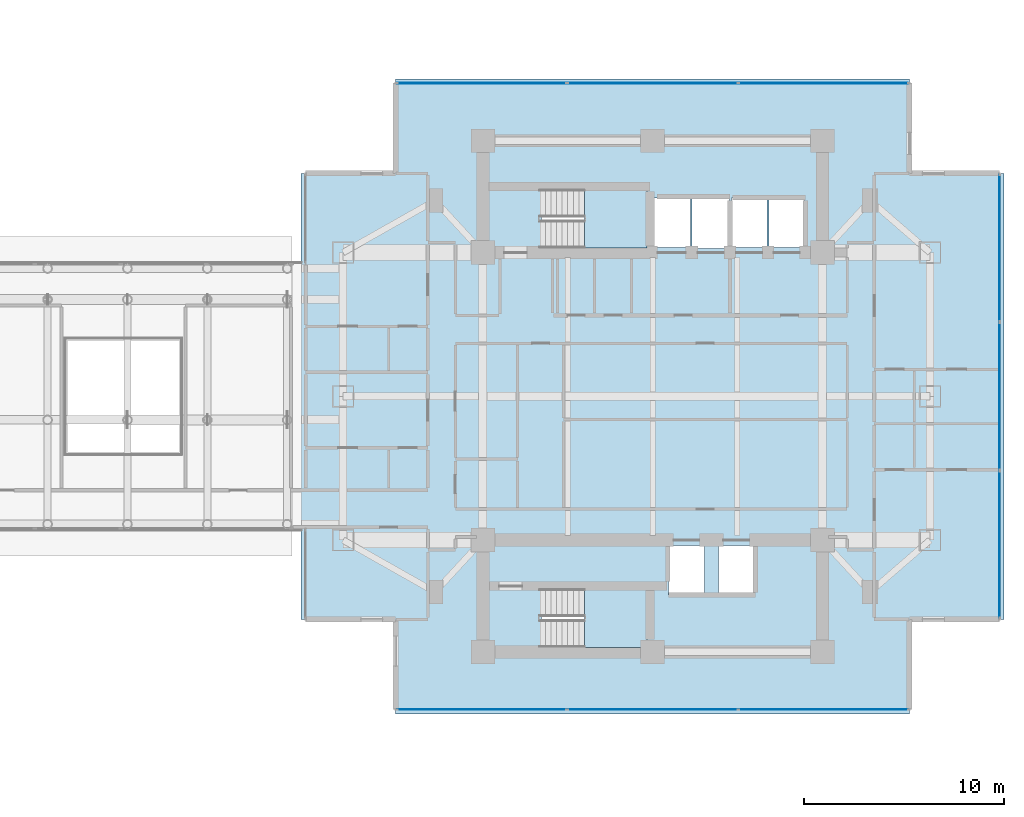
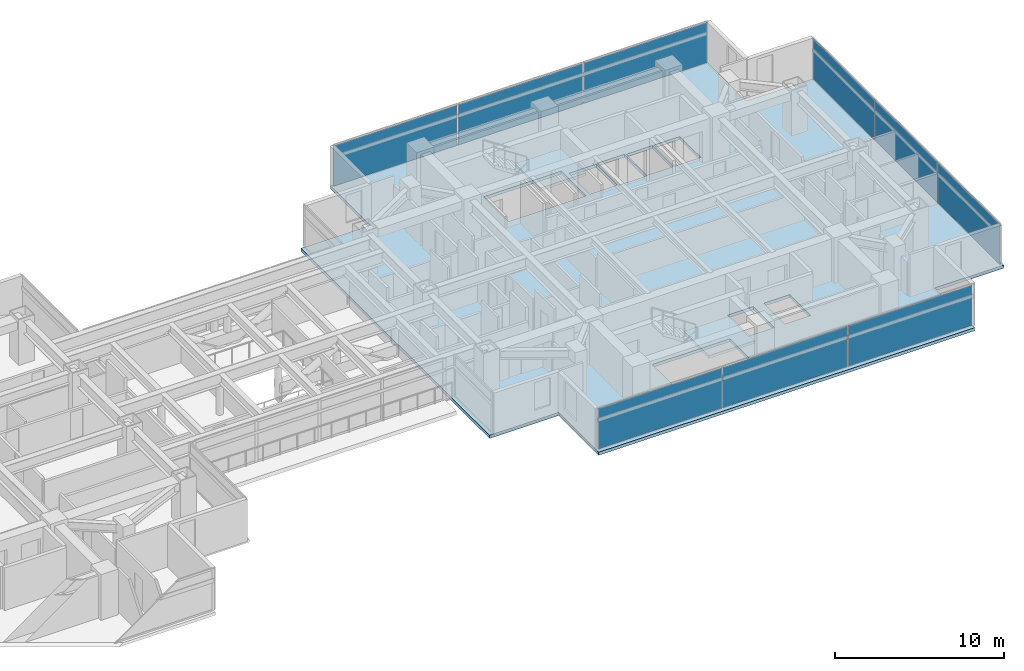
# One storey, part 13 of 28: 9 plates, 3 slabs, 5 elements without a shape of their own.
"""IFC4 building model written with IfcOpenShell, lengths in metres."""

from ifc_helpers import new_model, si_unit, direction, frame, origin, origin_2d, place, context, subcontext, project, spatial, polyline, rectangle, outline, extrude, material, layer, layer_set, type_object, element, aggregate, save


model = new_model("IFC4")

# Units and contexts
model_context = context("Model", 3, precision=1e-05, world=origin(), true_north=direction((0.0, 1.0)))
body_context = subcontext(model_context, "Body", "Model", "MODEL_VIEW")
ifc_project = project(units=[si_unit("LENGTHUNIT", "METRE"), si_unit("AREAUNIT", "SQUARE_METRE"), si_unit("VOLUMEUNIT", "CUBIC_METRE"), si_unit("PLANEANGLEUNIT", "RADIAN"), si_unit("MASSUNIT", "GRAM", prefix="KILO")], contexts=[model_context])

# Site, building, storey
site_placement = place(None, origin())
site = spatial("IfcSite", under=ifc_project, at=site_placement, CompositionType="ELEMENT")
building_placement = place(site_placement, origin())
building = spatial("IfcBuilding", under=site, at=building_placement, Name="Mirazonda Arch Towers", CompositionType="ELEMENT")
storey_placement = place(building_placement, frame((0.0, 0.0, 91.699951171875)))
storey = spatial("IfcBuildingStorey", under=building, at=storey_placement, Name="L25", CompositionType="ELEMENT", Elevation=91.699951171875)

# Curtain wall, plates
ifc_material_1 = material(Name="Anodised Aluminium and Low-E Glass", Category="aluminium")
curtain_wall_type = type_object("IfcCurtainWallType", Name="CW-HTL-UNIT", PredefinedType="NOTDEFINED", material=ifc_material_1)
curtain_wall_1_placement = place(storey_placement, origin())
curtain_wall_1 = element("IfcCurtainWall", 1, at=curtain_wall_1_placement, inside=storey, type_object=curtain_wall_type, Name="L25 T2 S Facade CW-L25-T2-S", PredefinedType="NOTDEFINED")
ifc_material_2 = material(Name="Insulated Low-E Solar Glass", Category="glass")
ifc_layer_1 = layer(ifc_material_2, 0.035888671875, Name="PAN-CW-HTL-UNIT")
ifc_layer_set_1 = layer_set([ifc_layer_1], Name="Insulated Low-E Solar Glass")
plate_type = type_object("IfcPlateType", Name="PAN-CW-HTL-UNIT", PredefinedType="CURTAIN_PANEL", material=ifc_layer_set_1)
plate_1_placement = place(storey_placement, frame((85.057373046875, 12.319091796875, 0.0751953125), z_axis=(0.0, 0.0, 1.0), x_axis=(-1.0, 0.0, 0.0)))
plate_1 = element("IfcPlate", 2, at=plate_1_placement, type_object=plate_type, Name="CW-112 panel 1.1", PredefinedType="CURTAIN_PANEL", context=body_context, shape_type="SweptSolid", body=[
    extrude(rectangle(XDim=8.463623046875, YDim=0.035888671875, at=origin_2d()), origin(), (0.0, 0.0, 1.0), 2.909912109375),
])
plate_2_placement = place(storey_placement, frame((76.5, 12.319091796875, 0.0751953125), z_axis=(0.0, 0.0, 1.0), x_axis=(-1.0, 0.0, 0.0)))
plate_2 = element("IfcPlate", 3, at=plate_2_placement, type_object=plate_type, Name="CW-112 panel 2.1", PredefinedType="CURTAIN_PANEL", context=body_context, shape_type="SweptSolid", body=[
    extrude(rectangle(XDim=8.501220703125, YDim=0.035888671875, at=origin_2d()), origin(), (0.0, 0.0, 1.0), 2.909912109375),
])
plate_3_placement = place(storey_placement, frame((67.942626953125, 12.319091796875, 0.0751953125), z_axis=(0.0, 0.0, 1.0), x_axis=(-1.0, 0.0, 0.0)))
plate_3 = element("IfcPlate", 4, at=plate_3_placement, type_object=plate_type, Name="CW-112 panel 3.1", PredefinedType="CURTAIN_PANEL", context=body_context, shape_type="SweptSolid", body=[
    extrude(rectangle(XDim=8.463623046875, YDim=0.035888671875, at=origin_2d()), origin(), (0.0, 0.0, 1.0), 2.909912109375),
])
aggregate(curtain_wall_1, [plate_1, plate_2, plate_3])

curtain_wall_2_placement = place(storey_placement, origin())
curtain_wall_2 = element("IfcCurtainWall", 5, at=curtain_wall_2_placement, inside=storey, type_object=curtain_wall_type, Name="L25 T2 E Facade CW-L25-T2-E", PredefinedType="NOTDEFINED")
plate_4_placement = place(storey_placement, frame((93.880615234375, 20.57568359375, 0.0751953125), z_axis=(0.0, 0.0, 1.0), x_axis=(0.0, 1.0, 0.0)))
plate_4 = element("IfcPlate", 6, at=plate_4_placement, type_object=plate_type, Name="CW-112 panel 1.1", PredefinedType="CURTAIN_PANEL", context=body_context, shape_type="SweptSolid", body=[
    extrude(rectangle(XDim=7.33056640625, YDim=0.035888671875, at=origin_2d()), origin(), (0.0, 0.0, 1.0), 2.909912109375),
])
plate_5_placement = place(storey_placement, frame((93.880615234375, 28.0, 0.0751953125), z_axis=(0.0, 0.0, 1.0), x_axis=(0.0, 1.0, 0.0)))
plate_5 = element("IfcPlate", 7, at=plate_5_placement, type_object=plate_type, Name="CW-112 panel 2.1", PredefinedType="CURTAIN_PANEL", context=body_context, shape_type="SweptSolid", body=[
    extrude(rectangle(XDim=7.367919921875, YDim=0.035888671875, at=origin_2d()), origin(), (0.0, 0.0, 1.0), 2.909912109375),
])
plate_6_placement = place(storey_placement, frame((93.880615234375, 35.42431640625, 0.0751953125), z_axis=(0.0, 0.0, 1.0), x_axis=(0.0, 1.0, 0.0)))
plate_6 = element("IfcPlate", 8, at=plate_6_placement, type_object=plate_type, Name="CW-112 panel 3.1", PredefinedType="CURTAIN_PANEL", context=body_context, shape_type="SweptSolid", body=[
    extrude(rectangle(XDim=7.33056640625, YDim=0.035888671875, at=origin_2d()), origin(), (0.0, 0.0, 1.0), 2.909912109375),
])
aggregate(curtain_wall_2, [plate_4, plate_5, plate_6])

curtain_wall_3_placement = place(storey_placement, origin())
curtain_wall_3 = element("IfcCurtainWall", 9, at=curtain_wall_3_placement, inside=storey, type_object=curtain_wall_type, Name="L25 T2 N Facade CW-L25-T2-N", PredefinedType="NOTDEFINED")
plate_7_placement = place(storey_placement, frame((67.942626953125, 43.680908203125, 0.0751953125), z_axis=(0.0, 0.0, 1.0), x_axis=(1.0, 0.0, 0.0)))
plate_7 = element("IfcPlate", 10, at=plate_7_placement, type_object=plate_type, Name="CW-112 panel 1.1", PredefinedType="CURTAIN_PANEL", context=body_context, shape_type="SweptSolid", body=[
    extrude(rectangle(XDim=8.463623046875, YDim=0.035888671875, at=origin_2d()), origin(), (0.0, 0.0, 1.0), 2.909912109375),
])
plate_8_placement = place(storey_placement, frame((76.5, 43.680908203125, 0.0751953125), z_axis=(0.0, 0.0, 1.0), x_axis=(1.0, 0.0, 0.0)))
plate_8 = element("IfcPlate", 11, at=plate_8_placement, type_object=plate_type, Name="CW-112 panel 2.1", PredefinedType="CURTAIN_PANEL", context=body_context, shape_type="SweptSolid", body=[
    extrude(rectangle(XDim=8.501220703125, YDim=0.035888671875, at=origin_2d()), origin(), (0.0, 0.0, 1.0), 2.909912109375),
])
plate_9_placement = place(storey_placement, frame((85.057373046875, 43.680908203125, 0.0751953125), z_axis=(0.0, 0.0, 1.0), x_axis=(1.0, 0.0, 0.0)))
plate_9 = element("IfcPlate", 12, at=plate_9_placement, type_object=plate_type, Name="CW-112 panel 3.1", PredefinedType="CURTAIN_PANEL", context=body_context, shape_type="SweptSolid", body=[
    extrude(rectangle(XDim=8.463623046875, YDim=0.035888671875, at=origin_2d()), origin(), (0.0, 0.0, 1.0), 2.909912109375),
])
aggregate(curtain_wall_3, [plate_7, plate_8, plate_9])

# Stair, slab
ifc_material_3 = material(Name="Concrete C40/50", Category="concrete")
stair_type = type_object("IfcStairType", Name="STAIR-CORE-1400", PredefinedType="HALF_TURN_STAIR", material=ifc_material_3)
stair_1_placement = place(storey_placement, origin())
stair_1 = element("IfcStair", 13, at=stair_1_placement, inside=storey, type_object=stair_type, Name="L25 Protected Exit Stair ST-T2N", PredefinedType="HALF_TURN_STAIR")
ifc_layer_2 = layer(ifc_material_3, 0.18994140625, Name="SLAB-LANDING-190")
ifc_layer_set_2 = layer_set([ifc_layer_2], Name="Concrete C40/50")
slab_type_1 = type_object("IfcSlabType", Name="SLAB-LANDING-190", PredefinedType="LANDING", material=ifc_layer_set_2)
slab_1_placement = place(storey_placement, frame((0.0, 0.0, 1.449951171875)))
slab_1 = element("IfcSlab", 14, at=slab_1_placement, type_object=slab_type_1, Name="ST-T2N landing 1", PredefinedType="LANDING", context=body_context, shape_type="SweptSolid", body=[
    extrude(outline(polyline([(73.090087890625, 35.419921875), (76.22998046875, 35.419921875), (76.22998046875, 38.360107421875), (73.090087890625, 38.360107421875), (73.090087890625, 35.419921875)])), origin(), (0.0, 0.0, 1.0), 0.2001953125),
])
aggregate(stair_1, [slab_1])

stair_2_placement = place(storey_placement, origin())
stair_2 = element("IfcStair", 15, at=stair_2_placement, inside=storey, type_object=stair_type, Name="L25 Protected Exit Stair ST-T2S", PredefinedType="HALF_TURN_STAIR")
slab_2_placement = place(storey_placement, frame((0.0, 0.0, 1.449951171875)))
slab_2 = element("IfcSlab", 16, at=slab_2_placement, type_object=slab_type_1, Name="ST-T2S landing 1", PredefinedType="LANDING", context=body_context, shape_type="SweptSolid", body=[
    extrude(outline(polyline([(73.090087890625, 15.419921875), (76.22998046875, 15.419921875), (76.22998046875, 18.360107421875), (73.090087890625, 18.360107421875), (73.090087890625, 15.419921875)])), origin(), (0.0, 0.0, 1.0), 0.2001953125),
])
aggregate(stair_2, [slab_2])

# Slab
ifc_layer_3 = layer(ifc_material_3, 0.219970703125, Name="SLAB-TWR-220")
ifc_layer_set_3 = layer_set([ifc_layer_3], Name="Concrete C40/50")
slab_type_2 = type_object("IfcSlabType", Name="SLAB-TWR-220", PredefinedType="FLOOR", material=ifc_layer_set_3)
slab_3_placement = place(storey_placement, frame((0.0, 0.0, -0.219970703125)))
element("IfcSlab", 17, at=slab_3_placement, inside=storey, type_object=slab_type_2, Name="L25 Tower 2 Floor Slab", PredefinedType="FLOOR", context=body_context, shape_type="SweptSolid", body=[
    extrude(outline(polyline([(63.6357421875, 12.09912109375), (89.3642578125, 12.09912109375), (89.3642578125, 16.83544921875), (94.1005859375, 16.83544921875), (94.1005859375, 39.16455078125), (89.3642578125, 39.16455078125), (89.3642578125, 43.90087890625), (63.6357421875, 43.90087890625), (63.6357421875, 39.16455078125), (58.8994140625, 39.16455078125), (58.8994140625, 16.83544921875), (63.6357421875, 16.83544921875), (63.6357421875, 12.09912109375)]), holes=[polyline([(82.330078125, 37.93994140625), (84.110107421875, 37.93994140625), (84.110107421875, 35.4599609375), (82.330078125, 35.4599609375), (82.330078125, 37.93994140625)]), polyline([(80.449951171875, 37.93994140625), (82.22998046875, 37.93994140625), (82.22998046875, 35.4599609375), (80.449951171875, 35.4599609375), (80.449951171875, 37.93994140625)]), polyline([(79.81005859375, 20.5400390625), (81.590087890625, 20.5400390625), (81.590087890625, 18.06005859375), (79.81005859375, 18.06005859375), (79.81005859375, 20.5400390625)]), polyline([(78.47998046875, 37.989990234375), (80.360107421875, 37.989990234375), (80.360107421875, 35.409912109375), (78.47998046875, 35.409912109375), (78.47998046875, 37.989990234375)]), polyline([(77.31005859375, 20.5400390625), (79.090087890625, 20.5400390625), (79.090087890625, 18.06005859375), (77.31005859375, 18.06005859375), (77.31005859375, 20.5400390625)]), polyline([(76.510009765625, 37.93994140625), (78.389892578125, 37.93994140625), (78.389892578125, 35.4599609375), (76.510009765625, 35.4599609375), (76.510009765625, 37.93994140625)]), polyline([(70.925048828125, 15.419921875), (70.925048828125, 18.360107421875), (76.22998046875, 18.360107421875), (76.22998046875, 15.419921875), (70.925048828125, 15.419921875)]), polyline([(70.925048828125, 35.419921875), (70.925048828125, 38.360107421875), (76.22998046875, 38.360107421875), (76.22998046875, 35.419921875), (70.925048828125, 35.419921875)])]), origin(), (0.0, 0.0, 1.0), 0.219970703125),
])

save(model, "model.ifc")
